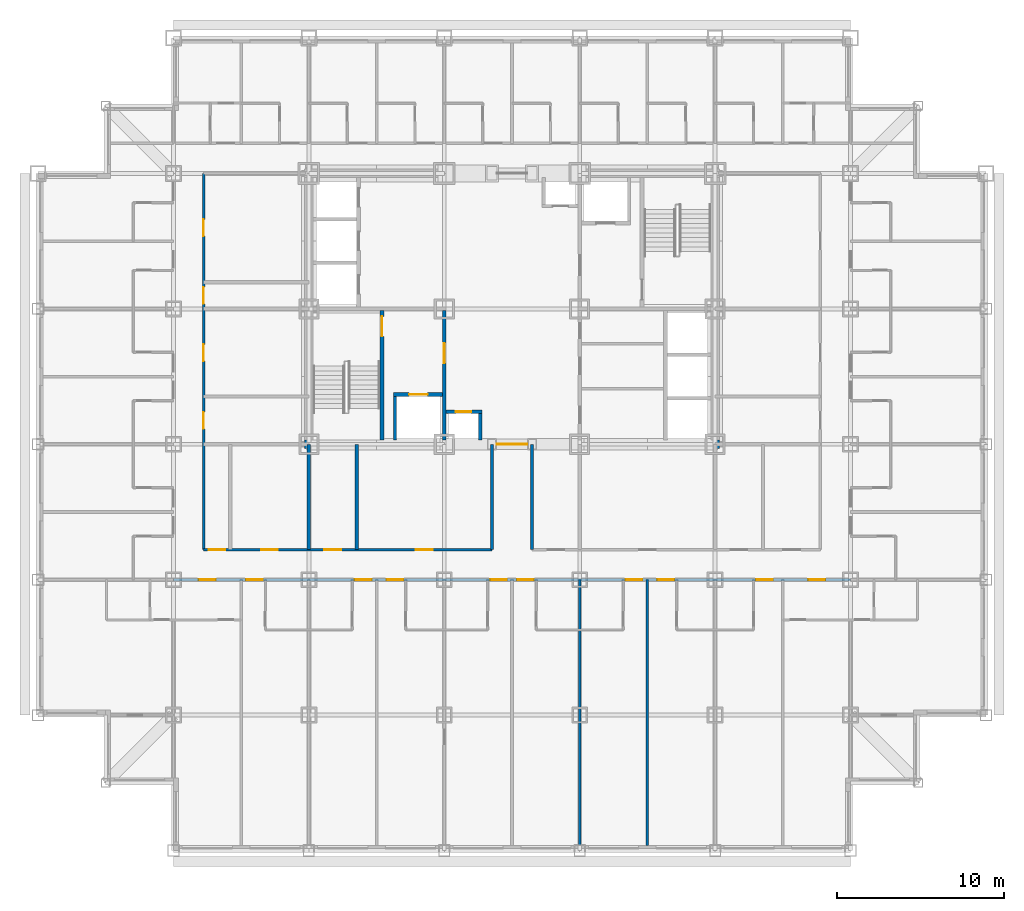
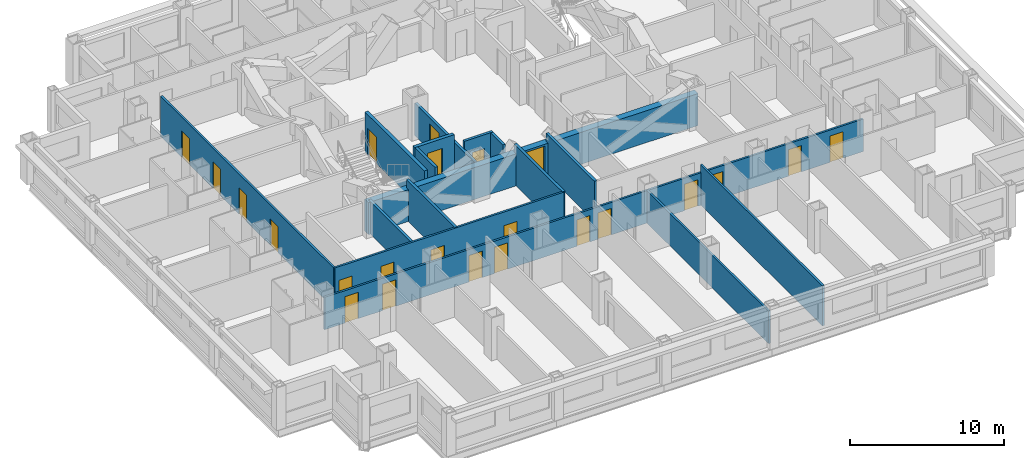
# One storey, part 5 of 12: 23 doors, 16 walls, 23 openings.
"""IFC4 building model written with IfcOpenShell, lengths in metres."""

from ifc_helpers import new_model, si_unit, direction, frame, frame_2d, origin, place, context, subcontext, project, spatial, rectangle, extrude, material, layer, layer_set, type_object, element, fill, save


model = new_model("IFC4")

# Units and contexts
model_context = context("Model", 3, precision=1e-05, world=origin(), true_north=direction((0.0, 1.0)))
body_context = subcontext(model_context, "Body", "Model", "MODEL_VIEW")
ifc_project = project(units=[si_unit("LENGTHUNIT", "METRE"), si_unit("AREAUNIT", "SQUARE_METRE"), si_unit("VOLUMEUNIT", "CUBIC_METRE"), si_unit("PLANEANGLEUNIT", "RADIAN"), si_unit("MASSUNIT", "GRAM", prefix="KILO")], contexts=[model_context])

# Site, building, storey
site_placement = place(None, origin())
site = spatial("IfcSite", under=ifc_project, at=site_placement, CompositionType="ELEMENT")
building_placement = place(site_placement, origin())
building = spatial("IfcBuilding", under=site, at=building_placement, Name="Kopane Lantern Tower", CompositionType="ELEMENT")
storey_placement = place(building_placement, frame((0.0, 0.0, 43.199951171875)))
storey = spatial("IfcBuildingStorey", under=building, at=storey_placement, Name="L09", CompositionType="ELEMENT", Elevation=43.199951171875)

# Wall, opening, door
ifc_material_1 = material(Name="Gypsum shaft wall EI 120", Category="gypsum")
ifc_layer_1 = layer(ifc_material_1, 0.5)
ifc_layer_set_1 = layer_set([ifc_layer_1], Name="CORE PERIMETER WALL 500 EI 120")
wall_type_1 = type_object("IfcWallType", Name="CORE PERIMETER WALL 500 EI 120", PredefinedType="SOLIDWALL", material=ifc_layer_set_1)
wall_1_placement = place(storey_placement, frame((15.949951171875, 24.300048828125, 0.0), z_axis=(0.0, 0.0, 1.0), x_axis=(1.0, 0.0, 0.0)))
wall_1 = element("IfcWall", 1, at=wall_1_placement, inside=storey, type_object=wall_type_1, Name="Core shaft wall L09 PS", PredefinedType="SOLIDWALL", context=body_context, shape_type="SweptSolid", body=[
    extrude(rectangle(XDim=24.800048828125, YDim=0.5, at=frame_2d((12.39990234375, 0.0))), origin(), (0.0, 0.0, 1.0), 2.5400390625),
])
opening_1_placement = place(wall_1_placement, frame((11.5, 0.0, 0.0)))
opening_1 = element("IfcOpeningElement", 2, at=opening_1_placement, cuts=wall_1, Name="Opening 09.CE-S", PredefinedType="OPENING", context=body_context, shape_type="SweptSolid", body=[
    extrude(rectangle(XDim=1.800048828125, YDim=2.39990234375, at=frame_2d((0.89990234375, 1.199951171875))), frame((0.0, 0.260009765625, 0.0), z_axis=(0.0, -1.0, 0.0), x_axis=(1.0, 0.0, 0.0)), (0.0, 0.0, 1.0), 0.52001953125),
])
ifc_material_2 = material(Name="Steel door set", Category="steel")
door_type_1 = type_object("IfcDoorType", Name="CORE ENTRY DOOR 1800x2400 FD60S", OperationType="DOUBLE_DOOR_SINGLE_SWING", PredefinedType="DOOR", material=ifc_material_2)
door_1_placement = place(opening_1_placement, origin())
door_1 = element("IfcDoor", 3, at=door_1_placement, inside=storey, type_object=door_type_1, Name="Core entry door L09 south", OperationType="DOUBLE_DOOR_SINGLE_SWING", OverallHeight=2.39990234375, OverallWidth=1.800048828125, PredefinedType="DOOR", context=body_context, shape_type="SweptSolid", body=[
    extrude(rectangle(XDim=1.800048828125, YDim=2.39990234375, at=frame_2d((0.89990234375, 1.199951171875))), frame((0.0, 0.02490234375, 0.0), z_axis=(0.0, -1.0, 0.0), x_axis=(1.0, 0.0, 0.0)), (0.0, 0.0, 1.0), 0.050048828125),
])
fill(opening_1, door_1)

ifc_material_3 = material(Name="Gypsum shaft wall EI 120", Category="gypsum")
ifc_layer_2 = layer(ifc_material_3, 0.25)
ifc_layer_set_2 = layer_set([ifc_layer_2], Name="CORE SHAFT WALL 250 EI 120")
wall_type_2 = type_object("IfcWallType", Name="CORE SHAFT WALL 250 EI 120", PredefinedType="SOLIDWALL", material=ifc_layer_set_2)
wall_2_placement = place(storey_placement, frame((20.574951171875, 24.550048828125, 0.0), z_axis=(0.0, 0.0, 1.0), x_axis=(0.0, 1.0, 0.0)))
wall_2 = element("IfcWall", 4, at=wall_2_placement, inside=storey, type_object=wall_type_2, Name="Core shaft wall L09 XST1", PredefinedType="SOLIDWALL", context=body_context, shape_type="SweptSolid", body=[
    extrude(rectangle(XDim=7.75, YDim=0.25, at=frame_2d((3.875, 0.0))), origin(), (0.0, 0.0, 1.0), 3.18994140625),
])
opening_2_placement = place(wall_2_placement, frame((6.199951171875, 0.0, 0.0)))
opening_2 = element("IfcOpeningElement", 5, at=opening_2_placement, cuts=wall_2, Name="Opening 09.SD1", PredefinedType="OPENING", context=body_context, shape_type="SweptSolid", body=[
    extrude(rectangle(XDim=1.199951171875, YDim=2.10009765625, at=frame_2d((0.60009765625, 1.050048828125))), frame((0.0, 0.135009765625, 0.0), z_axis=(0.0, -1.0, 0.0), x_axis=(1.0, 0.0, 0.0)), (0.0, 0.0, 1.0), 0.27001953125),
])
ifc_material_4 = material(Name="Steel door set", Category="steel")
door_type_2 = type_object("IfcDoorType", Name="STAIR DOOR 1200x2100 FD60S", OperationType="SINGLE_SWING_LEFT", PredefinedType="DOOR", material=ifc_material_4)
door_2_placement = place(opening_2_placement, origin())
door_2 = element("IfcDoor", 6, at=door_2_placement, inside=storey, type_object=door_type_2, Name="Stair door ST1 L09", OperationType="SINGLE_SWING_LEFT", OverallHeight=2.10009765625, OverallWidth=1.199951171875, PredefinedType="DOOR", context=body_context, shape_type="SweptSolid", body=[
    extrude(rectangle(XDim=1.199951171875, YDim=2.10009765625, at=frame_2d((0.60009765625, 1.050048828125))), frame((0.0, 0.02490234375, 0.0), z_axis=(0.0, -1.0, 0.0), x_axis=(1.0, 0.0, 0.0)), (0.0, 0.0, 1.0), 0.050048828125),
])
fill(opening_2, door_2)

wall_3_placement = place(storey_placement, frame((21.25, 27.27490234375, 0.0), z_axis=(0.0, 0.0, 1.0), x_axis=(1.0, 0.0, 0.0)))
wall_3 = element("IfcWall", 7, at=wall_3_placement, inside=storey, type_object=wall_type_2, Name="Core shaft wall L09 YLF1", PredefinedType="SOLIDWALL", context=body_context, shape_type="SweptSolid", body=[
    extrude(rectangle(XDim=2.949951171875, YDim=0.25, at=frame_2d((1.47509765625, 0.0))), origin(), (0.0, 0.0, 1.0), 3.18994140625),
])
opening_3_placement = place(wall_3_placement, frame((0.949951171875, 0.0, 0.0)))
opening_3 = element("IfcOpeningElement", 8, at=opening_3_placement, cuts=wall_3, Name="Opening 09.LD-LF1", PredefinedType="OPENING", context=body_context, shape_type="SweptSolid", body=[
    extrude(rectangle(XDim=1.10009765625, YDim=2.39990234375, at=frame_2d((0.550048828125, 1.199951171875))), frame((0.0, 0.135009765625, 0.0), z_axis=(0.0, -1.0, 0.0), x_axis=(1.0, 0.0, 0.0)), (0.0, 0.0, 1.0), 0.27001953125),
])
ifc_material_5 = material(Name="Steel door set", Category="steel")
door_type_3 = type_object("IfcDoorType", Name="LIFT LANDING DOOR 1100x2400 FD60", OperationType="DOUBLE_DOOR_SLIDING", PredefinedType="DOOR", material=ifc_material_5)
door_3_placement = place(opening_3_placement, origin())
door_3 = element("IfcDoor", 9, at=door_3_placement, inside=storey, type_object=door_type_3, Name="Landing door LF1 L09", OperationType="DOUBLE_DOOR_SLIDING", OverallHeight=2.39990234375, OverallWidth=1.10009765625, PredefinedType="DOOR", context=body_context, shape_type="SweptSolid", body=[
    extrude(rectangle(XDim=1.10009765625, YDim=2.39990234375, at=frame_2d((0.550048828125, 1.199951171875))), frame((0.0, 0.02490234375, 0.0), z_axis=(0.0, -1.0, 0.0), x_axis=(1.0, 0.0, 0.0)), (0.0, 0.0, 1.0), 0.050048828125),
])
fill(opening_3, door_3)

# Wall, openings, doors
ifc_material_6 = material(Name="Gypsum board on steel studs", Category="steel")
ifc_layer_3 = layer(ifc_material_6, 0.14990234375)
ifc_layer_set_3 = layer_set([ifc_layer_3], Name="CORRIDOR WALL 150 EI 60")
wall_type_3 = type_object("IfcWallType", Name="CORRIDOR WALL 150 EI 60", PredefinedType="PARTITIONING", material=ifc_layer_set_3)
wall_4_placement = place(storey_placement, frame((8.10009765625, 16.199951171875, 0.0), z_axis=(0.0, 0.0, 1.0), x_axis=(1.0, 0.0, 0.0)))
wall_4 = element("IfcWall", 10, at=wall_4_placement, inside=storey, type_object=wall_type_3, Name="Corridor Wall 150 Ei 60 L09", PredefinedType="PARTITIONING", context=body_context, shape_type="SweptSolid", body=[
    extrude(rectangle(XDim=40.5, YDim=0.14990234375, at=frame_2d((20.25, 0.0))), origin(), (0.0, 0.0, 1.0), 2.577880859375),
])
opening_4_placement = place(wall_4_placement, frame((4.35009765625, 0.0, 0.0)))
opening_4 = element("IfcOpeningElement", 11, at=opening_4_placement, cuts=wall_4, Name="Opening L09-017", PredefinedType="OPENING", context=body_context, shape_type="SweptSolid", body=[
    extrude(rectangle(XDim=1.0, YDim=2.10009765625, at=frame_2d((0.5, 1.050048828125))), frame((0.0, 0.0849609375, 0.0), z_axis=(0.0, -1.0, 0.0), x_axis=(1.0, 0.0, 0.0)), (0.0, 0.0, 1.0), 0.169921875),
])
opening_5_placement = place(wall_4_placement, frame((10.85009765625, 0.0, 0.0)))
opening_5 = element("IfcOpeningElement", 12, at=opening_5_placement, cuts=wall_4, Name="Opening L09-019", PredefinedType="OPENING", context=body_context, shape_type="SweptSolid", body=[
    extrude(rectangle(XDim=1.0, YDim=2.10009765625, at=frame_2d((0.5, 1.050048828125))), frame((0.0, 0.0849609375, 0.0), z_axis=(0.0, -1.0, 0.0), x_axis=(1.0, 0.0, 0.0)), (0.0, 0.0, 1.0), 0.169921875),
])
opening_6_placement = place(wall_4_placement, frame((12.75, 0.0, 0.0)))
opening_6 = element("IfcOpeningElement", 13, at=opening_6_placement, cuts=wall_4, Name="Opening L09-021", PredefinedType="OPENING", context=body_context, shape_type="SweptSolid", body=[
    extrude(rectangle(XDim=1.0, YDim=2.10009765625, at=frame_2d((0.5, 1.050048828125))), frame((0.0, 0.0849609375, 0.0), z_axis=(0.0, -1.0, 0.0), x_axis=(1.0, 0.0, 0.0)), (0.0, 0.0, 1.0), 0.169921875),
])
opening_7_placement = place(wall_4_placement, frame((18.949951171875, 0.0, 0.0)))
opening_7 = element("IfcOpeningElement", 14, at=opening_7_placement, cuts=wall_4, Name="Opening L09-023", PredefinedType="OPENING", context=body_context, shape_type="SweptSolid", body=[
    extrude(rectangle(XDim=1.0, YDim=2.10009765625, at=frame_2d((0.5, 1.050048828125))), frame((0.0, 0.0849609375, 0.0), z_axis=(0.0, -1.0, 0.0), x_axis=(1.0, 0.0, 0.0)), (0.0, 0.0, 1.0), 0.169921875),
])
opening_8_placement = place(wall_4_placement, frame((20.550048828125, 0.0, 0.0)))
opening_8 = element("IfcOpeningElement", 15, at=opening_8_placement, cuts=wall_4, Name="Opening L09-026", PredefinedType="OPENING", context=body_context, shape_type="SweptSolid", body=[
    extrude(rectangle(XDim=1.0, YDim=2.10009765625, at=frame_2d((0.5, 1.050048828125))), frame((0.0, 0.0849609375, 0.0), z_axis=(0.0, -1.0, 0.0), x_axis=(1.0, 0.0, 0.0)), (0.0, 0.0, 1.0), 0.169921875),
])
opening_9_placement = place(wall_4_placement, frame((27.050048828125, 0.0, 0.0)))
opening_9 = element("IfcOpeningElement", 16, at=opening_9_placement, cuts=wall_4, Name="Opening L09-028", PredefinedType="OPENING", context=body_context, shape_type="SweptSolid", body=[
    extrude(rectangle(XDim=1.0, YDim=2.10009765625, at=frame_2d((0.5, 1.050048828125))), frame((0.0, 0.0849609375, 0.0), z_axis=(0.0, -1.0, 0.0), x_axis=(1.0, 0.0, 0.0)), (0.0, 0.0, 1.0), 0.169921875),
])
opening_10_placement = place(wall_4_placement, frame((28.949951171875, 0.0, 0.0)))
opening_10 = element("IfcOpeningElement", 17, at=opening_10_placement, cuts=wall_4, Name="Opening L09-030", PredefinedType="OPENING", context=body_context, shape_type="SweptSolid", body=[
    extrude(rectangle(XDim=1.0, YDim=2.10009765625, at=frame_2d((0.5, 1.050048828125))), frame((0.0, 0.0849609375, 0.0), z_axis=(0.0, -1.0, 0.0), x_axis=(1.0, 0.0, 0.0)), (0.0, 0.0, 1.0), 0.169921875),
])
opening_11_placement = place(wall_4_placement, frame((34.85009765625, 0.0, 0.0)))
opening_11 = element("IfcOpeningElement", 18, at=opening_11_placement, cuts=wall_4, Name="Opening L09-032", PredefinedType="OPENING", context=body_context, shape_type="SweptSolid", body=[
    extrude(rectangle(XDim=1.0, YDim=2.10009765625, at=frame_2d((0.5, 1.050048828125))), frame((0.0, 0.0849609375, 0.0), z_axis=(0.0, -1.0, 0.0), x_axis=(1.0, 0.0, 0.0)), (0.0, 0.0, 1.0), 0.169921875),
])
opening_12_placement = place(wall_4_placement, frame((1.52490234375, 0.0, 0.0)))
opening_12 = element("IfcOpeningElement", 19, at=opening_12_placement, cuts=wall_4, Name="Opening L09-073", PredefinedType="OPENING", context=body_context, shape_type="SweptSolid", body=[
    extrude(rectangle(XDim=1.0, YDim=2.10009765625, at=frame_2d((0.5, 1.050048828125))), frame((0.0, 0.0849609375, 0.0), z_axis=(0.0, -1.0, 0.0), x_axis=(1.0, 0.0, 0.0)), (0.0, 0.0, 1.0), 0.169921875),
])
opening_13_placement = place(wall_4_placement, frame((37.97509765625, 0.0, 0.0)))
opening_13 = element("IfcOpeningElement", 20, at=opening_13_placement, cuts=wall_4, Name="Opening L09-078", PredefinedType="OPENING", context=body_context, shape_type="SweptSolid", body=[
    extrude(rectangle(XDim=1.0, YDim=2.10009765625, at=frame_2d((0.5, 1.050048828125))), frame((0.0, 0.0849609375, 0.0), z_axis=(0.0, -1.0, 0.0), x_axis=(1.0, 0.0, 0.0)), (0.0, 0.0, 1.0), 0.169921875),
])
ifc_material_7 = material(Name="Steel door set", Category="steel")
door_type_4 = type_object("IfcDoorType", Name="DOOR D1 1000x2100 FD30S", OperationType="SINGLE_SWING_LEFT", PredefinedType="DOOR", material=ifc_material_7)
door_4_placement = place(opening_4_placement, origin())
door_4 = element("IfcDoor", 21, at=door_4_placement, inside=storey, type_object=door_type_4, Name="Door L09-017", OperationType="SINGLE_SWING_LEFT", OverallHeight=2.10009765625, OverallWidth=1.0, PredefinedType="DOOR", context=body_context, shape_type="SweptSolid", body=[
    extrude(rectangle(XDim=1.0, YDim=2.10009765625, at=frame_2d((0.5, 1.050048828125))), frame((0.0, 0.02490234375, 0.0), z_axis=(0.0, -1.0, 0.0), x_axis=(1.0, 0.0, 0.0)), (0.0, 0.0, 1.0), 0.050048828125),
])
fill(opening_4, door_4)
door_5_placement = place(opening_5_placement, origin())
door_5 = element("IfcDoor", 22, at=door_5_placement, inside=storey, type_object=door_type_4, Name="Door L09-019", OperationType="SINGLE_SWING_RIGHT", OverallHeight=2.10009765625, OverallWidth=1.0, PredefinedType="DOOR", context=body_context, shape_type="SweptSolid", body=[
    extrude(rectangle(XDim=1.0, YDim=2.10009765625, at=frame_2d((0.5, 1.050048828125))), frame((0.0, 0.02490234375, 0.0), z_axis=(0.0, -1.0, 0.0), x_axis=(1.0, 0.0, 0.0)), (0.0, 0.0, 1.0), 0.050048828125),
])
fill(opening_5, door_5)
door_6_placement = place(opening_6_placement, origin())
door_6 = element("IfcDoor", 23, at=door_6_placement, inside=storey, type_object=door_type_4, Name="Door L09-021", OperationType="SINGLE_SWING_LEFT", OverallHeight=2.10009765625, OverallWidth=1.0, PredefinedType="DOOR", context=body_context, shape_type="SweptSolid", body=[
    extrude(rectangle(XDim=1.0, YDim=2.10009765625, at=frame_2d((0.5, 1.050048828125))), frame((0.0, 0.02490234375, 0.0), z_axis=(0.0, -1.0, 0.0), x_axis=(1.0, 0.0, 0.0)), (0.0, 0.0, 1.0), 0.050048828125),
])
fill(opening_6, door_6)
door_7_placement = place(opening_7_placement, origin())
door_7 = element("IfcDoor", 24, at=door_7_placement, inside=storey, type_object=door_type_4, Name="Door L09-023", OperationType="SINGLE_SWING_RIGHT", OverallHeight=2.10009765625, OverallWidth=1.0, PredefinedType="DOOR", context=body_context, shape_type="SweptSolid", body=[
    extrude(rectangle(XDim=1.0, YDim=2.10009765625, at=frame_2d((0.5, 1.050048828125))), frame((0.0, 0.02490234375, 0.0), z_axis=(0.0, -1.0, 0.0), x_axis=(1.0, 0.0, 0.0)), (0.0, 0.0, 1.0), 0.050048828125),
])
fill(opening_7, door_7)
door_8_placement = place(opening_8_placement, origin())
door_8 = element("IfcDoor", 25, at=door_8_placement, inside=storey, type_object=door_type_4, Name="Door L09-026", OperationType="SINGLE_SWING_LEFT", OverallHeight=2.10009765625, OverallWidth=1.0, PredefinedType="DOOR", context=body_context, shape_type="SweptSolid", body=[
    extrude(rectangle(XDim=1.0, YDim=2.10009765625, at=frame_2d((0.5, 1.050048828125))), frame((0.0, 0.02490234375, 0.0), z_axis=(0.0, -1.0, 0.0), x_axis=(1.0, 0.0, 0.0)), (0.0, 0.0, 1.0), 0.050048828125),
])
fill(opening_8, door_8)
door_9_placement = place(opening_9_placement, origin())
door_9 = element("IfcDoor", 26, at=door_9_placement, inside=storey, type_object=door_type_4, Name="Door L09-028", OperationType="SINGLE_SWING_RIGHT", OverallHeight=2.10009765625, OverallWidth=1.0, PredefinedType="DOOR", context=body_context, shape_type="SweptSolid", body=[
    extrude(rectangle(XDim=1.0, YDim=2.10009765625, at=frame_2d((0.5, 1.050048828125))), frame((0.0, 0.02490234375, 0.0), z_axis=(0.0, -1.0, 0.0), x_axis=(1.0, 0.0, 0.0)), (0.0, 0.0, 1.0), 0.050048828125),
])
fill(opening_9, door_9)
door_10_placement = place(opening_10_placement, origin())
door_10 = element("IfcDoor", 27, at=door_10_placement, inside=storey, type_object=door_type_4, Name="Door L09-030", OperationType="SINGLE_SWING_LEFT", OverallHeight=2.10009765625, OverallWidth=1.0, PredefinedType="DOOR", context=body_context, shape_type="SweptSolid", body=[
    extrude(rectangle(XDim=1.0, YDim=2.10009765625, at=frame_2d((0.5, 1.050048828125))), frame((0.0, 0.02490234375, 0.0), z_axis=(0.0, -1.0, 0.0), x_axis=(1.0, 0.0, 0.0)), (0.0, 0.0, 1.0), 0.050048828125),
])
fill(opening_10, door_10)
door_11_placement = place(opening_11_placement, origin())
door_11 = element("IfcDoor", 28, at=door_11_placement, inside=storey, type_object=door_type_4, Name="Door L09-032", OperationType="SINGLE_SWING_RIGHT", OverallHeight=2.10009765625, OverallWidth=1.0, PredefinedType="DOOR", context=body_context, shape_type="SweptSolid", body=[
    extrude(rectangle(XDim=1.0, YDim=2.10009765625, at=frame_2d((0.5, 1.050048828125))), frame((0.0, 0.02490234375, 0.0), z_axis=(0.0, -1.0, 0.0), x_axis=(1.0, 0.0, 0.0)), (0.0, 0.0, 1.0), 0.050048828125),
])
fill(opening_11, door_11)
door_12_placement = place(opening_12_placement, origin())
door_12 = element("IfcDoor", 29, at=door_12_placement, inside=storey, type_object=door_type_4, Name="Door L09-073", OperationType="SINGLE_SWING_LEFT", OverallHeight=2.10009765625, OverallWidth=1.0, PredefinedType="DOOR", context=body_context, shape_type="SweptSolid", body=[
    extrude(rectangle(XDim=1.0, YDim=2.10009765625, at=frame_2d((0.5, 1.050048828125))), frame((0.0, 0.02490234375, 0.0), z_axis=(0.0, -1.0, 0.0), x_axis=(1.0, 0.0, 0.0)), (0.0, 0.0, 1.0), 0.050048828125),
])
fill(opening_12, door_12)
door_13_placement = place(opening_13_placement, origin())
door_13 = element("IfcDoor", 30, at=door_13_placement, inside=storey, type_object=door_type_4, Name="Door L09-078", OperationType="SINGLE_SWING_RIGHT", OverallHeight=2.10009765625, OverallWidth=1.0, PredefinedType="DOOR", context=body_context, shape_type="SweptSolid", body=[
    extrude(rectangle(XDim=1.0, YDim=2.10009765625, at=frame_2d((0.5, 1.050048828125))), frame((0.0, 0.02490234375, 0.0), z_axis=(0.0, -1.0, 0.0), x_axis=(1.0, 0.0, 0.0)), (0.0, 0.0, 1.0), 0.050048828125),
])
fill(opening_13, door_13)

wall_5_placement = place(storey_placement, frame((9.89990234375, 40.5, 0.0), z_axis=(0.0, 0.0, 1.0), x_axis=(0.0, -1.0, 0.0)))
wall_5 = element("IfcWall", 31, at=wall_5_placement, inside=storey, type_object=wall_type_3, Name="Corridor Wall 150 Ei 60 L09", PredefinedType="PARTITIONING", context=body_context, shape_type="SweptSolid", body=[
    extrude(rectangle(XDim=22.5, YDim=0.14990234375, at=frame_2d((11.25, 0.0))), origin(), (0.0, 0.0, 1.0), 3.18994140625),
])
opening_14_placement = place(wall_5_placement, frame((14.271484375, 0.0, 0.0)))
opening_14 = element("IfcOpeningElement", 32, at=opening_14_placement, cuts=wall_5, Name="Opening L09-001", PredefinedType="OPENING", context=body_context, shape_type="SweptSolid", body=[
    extrude(rectangle(XDim=1.0, YDim=2.10009765625, at=frame_2d((0.5, 1.050048828125))), frame((0.0, 0.0849609375, 0.0), z_axis=(0.0, -1.0, 0.0), x_axis=(1.0, 0.0, 0.0)), (0.0, 0.0, 1.0), 0.169921875),
])
opening_15_placement = place(wall_5_placement, frame((10.221435546875, 0.0, 0.0)))
opening_15 = element("IfcOpeningElement", 33, at=opening_15_placement, cuts=wall_5, Name="Opening L09-002", PredefinedType="OPENING", context=body_context, shape_type="SweptSolid", body=[
    extrude(rectangle(XDim=1.0, YDim=2.10009765625, at=frame_2d((0.5, 1.050048828125))), frame((0.0, 0.0849609375, 0.0), z_axis=(0.0, -1.0, 0.0), x_axis=(1.0, 0.0, 0.0)), (0.0, 0.0, 1.0), 0.169921875),
])
opening_16_placement = place(wall_5_placement, frame((6.800048828125, 0.0, 0.0)))
opening_16 = element("IfcOpeningElement", 34, at=opening_16_placement, cuts=wall_5, Name="Opening L09-003", PredefinedType="OPENING", context=body_context, shape_type="SweptSolid", body=[
    extrude(rectangle(XDim=1.0, YDim=2.10009765625, at=frame_2d((0.5, 1.050048828125))), frame((0.0, 0.0849609375, 0.0), z_axis=(0.0, -1.0, 0.0), x_axis=(1.0, 0.0, 0.0)), (0.0, 0.0, 1.0), 0.169921875),
])
opening_17_placement = place(wall_5_placement, frame((2.75, 0.0, 0.0)))
opening_17 = element("IfcOpeningElement", 35, at=opening_17_placement, cuts=wall_5, Name="Opening L09-004", PredefinedType="OPENING", context=body_context, shape_type="SweptSolid", body=[
    extrude(rectangle(XDim=1.0, YDim=2.10009765625, at=frame_2d((0.5, 1.050048828125))), frame((0.0, 0.0849609375, 0.0), z_axis=(0.0, -1.0, 0.0), x_axis=(1.0, 0.0, 0.0)), (0.0, 0.0, 1.0), 0.169921875),
])
ifc_material_8 = material(Name="Steel door set", Category="steel")
door_type_5 = type_object("IfcDoorType", Name="DOOR D5 1000x2100 FD60", OperationType="SINGLE_SWING_LEFT", PredefinedType="DOOR", material=ifc_material_8)
door_14_placement = place(opening_14_placement, origin())
door_14 = element("IfcDoor", 36, at=door_14_placement, inside=storey, type_object=door_type_5, Name="Door L09-001", OperationType="SINGLE_SWING_RIGHT", OverallHeight=2.10009765625, OverallWidth=1.0, PredefinedType="DOOR", context=body_context, shape_type="SweptSolid", body=[
    extrude(rectangle(XDim=1.0, YDim=2.10009765625, at=frame_2d((0.5, 1.050048828125))), frame((0.0, 0.02490234375, 0.0), z_axis=(0.0, -1.0, 0.0), x_axis=(1.0, 0.0, 0.0)), (0.0, 0.0, 1.0), 0.050048828125),
])
fill(opening_14, door_14)
door_15_placement = place(opening_15_placement, origin())
door_15 = element("IfcDoor", 37, at=door_15_placement, inside=storey, type_object=door_type_5, Name="Door L09-002", OperationType="SINGLE_SWING_LEFT", OverallHeight=2.10009765625, OverallWidth=1.0, PredefinedType="DOOR", context=body_context, shape_type="SweptSolid", body=[
    extrude(rectangle(XDim=1.0, YDim=2.10009765625, at=frame_2d((0.5, 1.050048828125))), frame((0.0, 0.02490234375, 0.0), z_axis=(0.0, -1.0, 0.0), x_axis=(1.0, 0.0, 0.0)), (0.0, 0.0, 1.0), 0.050048828125),
])
fill(opening_15, door_15)
door_16_placement = place(opening_16_placement, origin())
door_16 = element("IfcDoor", 38, at=door_16_placement, inside=storey, type_object=door_type_5, Name="Door L09-003", OperationType="SINGLE_SWING_RIGHT", OverallHeight=2.10009765625, OverallWidth=1.0, PredefinedType="DOOR", context=body_context, shape_type="SweptSolid", body=[
    extrude(rectangle(XDim=1.0, YDim=2.10009765625, at=frame_2d((0.5, 1.050048828125))), frame((0.0, 0.02490234375, 0.0), z_axis=(0.0, -1.0, 0.0), x_axis=(1.0, 0.0, 0.0)), (0.0, 0.0, 1.0), 0.050048828125),
])
fill(opening_16, door_16)
door_17_placement = place(opening_17_placement, origin())
door_17 = element("IfcDoor", 39, at=door_17_placement, inside=storey, type_object=door_type_5, Name="Door L09-004", OperationType="SINGLE_SWING_LEFT", OverallHeight=2.10009765625, OverallWidth=1.0, PredefinedType="DOOR", context=body_context, shape_type="SweptSolid", body=[
    extrude(rectangle(XDim=1.0, YDim=2.10009765625, at=frame_2d((0.5, 1.050048828125))), frame((0.0, 0.02490234375, 0.0), z_axis=(0.0, -1.0, 0.0), x_axis=(1.0, 0.0, 0.0)), (0.0, 0.0, 1.0), 0.050048828125),
])
fill(opening_17, door_17)

wall_6_placement = place(storey_placement, frame((9.89990234375, 18.0, 0.0), z_axis=(0.0, 0.0, 1.0), x_axis=(1.0, 0.0, 0.0)))
wall_6 = element("IfcWall", 40, at=wall_6_placement, inside=storey, type_object=wall_type_3, Name="Corridor Wall 150 Ei 60 L09", PredefinedType="PARTITIONING", context=body_context, shape_type="SweptSolid", body=[
    extrude(rectangle(XDim=17.239990234375, YDim=0.14990234375, at=frame_2d((8.6201171875, 0.0))), origin(), (0.0, 0.0, 1.0), 3.18994140625),
])
opening_18_placement = place(wall_6_placement, frame((0.300048828125, 0.0, 0.0)))
opening_18 = element("IfcOpeningElement", 41, at=opening_18_placement, cuts=wall_6, Name="Opening L09-008", PredefinedType="OPENING", context=body_context, shape_type="SweptSolid", body=[
    extrude(rectangle(XDim=1.0, YDim=2.10009765625, at=frame_2d((0.5, 1.050048828125))), frame((0.0, 0.0849609375, 0.0), z_axis=(0.0, -1.0, 0.0), x_axis=(1.0, 0.0, 0.0)), (0.0, 0.0, 1.0), 0.169921875),
])
opening_19_placement = place(wall_6_placement, frame((3.449951171875, 0.0, 0.0)))
opening_19 = element("IfcOpeningElement", 42, at=opening_19_placement, cuts=wall_6, Name="Opening L09-009", PredefinedType="OPENING", context=body_context, shape_type="SweptSolid", body=[
    extrude(rectangle(XDim=1.0, YDim=2.10009765625, at=frame_2d((0.5, 1.050048828125))), frame((0.0, 0.0849609375, 0.0), z_axis=(0.0, -1.0, 0.0), x_axis=(1.0, 0.0, 0.0)), (0.0, 0.0, 1.0), 0.169921875),
])
opening_20_placement = place(wall_6_placement, frame((7.228515625, 0.0, 0.0)))
opening_20 = element("IfcOpeningElement", 43, at=opening_20_placement, cuts=wall_6, Name="Opening L09-010", PredefinedType="OPENING", context=body_context, shape_type="SweptSolid", body=[
    extrude(rectangle(XDim=1.0, YDim=2.10009765625, at=frame_2d((0.5, 1.050048828125))), frame((0.0, 0.0849609375, 0.0), z_axis=(0.0, -1.0, 0.0), x_axis=(1.0, 0.0, 0.0)), (0.0, 0.0, 1.0), 0.169921875),
])
opening_21_placement = place(wall_6_placement, frame((12.70361328125, 0.0, 0.0)))
opening_21 = element("IfcOpeningElement", 44, at=opening_21_placement, cuts=wall_6, Name="Opening L09-011", PredefinedType="OPENING", context=body_context, shape_type="SweptSolid", body=[
    extrude(rectangle(XDim=1.0, YDim=2.10009765625, at=frame_2d((0.5, 1.050048828125))), frame((0.0, 0.0849609375, 0.0), z_axis=(0.0, -1.0, 0.0), x_axis=(1.0, 0.0, 0.0)), (0.0, 0.0, 1.0), 0.169921875),
])
door_18_placement = place(opening_18_placement, origin())
door_18 = element("IfcDoor", 45, at=door_18_placement, inside=storey, type_object=door_type_5, Name="Door L09-008", OperationType="SINGLE_SWING_LEFT", OverallHeight=2.10009765625, OverallWidth=1.0, PredefinedType="DOOR", context=body_context, shape_type="SweptSolid", body=[
    extrude(rectangle(XDim=1.0, YDim=2.10009765625, at=frame_2d((0.5, 1.050048828125))), frame((0.0, 0.02490234375, 0.0), z_axis=(0.0, -1.0, 0.0), x_axis=(1.0, 0.0, 0.0)), (0.0, 0.0, 1.0), 0.050048828125),
])
fill(opening_18, door_18)
door_19_placement = place(opening_19_placement, origin())
door_19 = element("IfcDoor", 46, at=door_19_placement, inside=storey, type_object=door_type_5, Name="Door L09-009", OperationType="SINGLE_SWING_RIGHT", OverallHeight=2.10009765625, OverallWidth=1.0, PredefinedType="DOOR", context=body_context, shape_type="SweptSolid", body=[
    extrude(rectangle(XDim=1.0, YDim=2.10009765625, at=frame_2d((0.5, 1.050048828125))), frame((0.0, 0.02490234375, 0.0), z_axis=(0.0, -1.0, 0.0), x_axis=(1.0, 0.0, 0.0)), (0.0, 0.0, 1.0), 0.050048828125),
])
fill(opening_19, door_19)
door_20_placement = place(opening_20_placement, origin())
door_20 = element("IfcDoor", 47, at=door_20_placement, inside=storey, type_object=door_type_5, Name="Door L09-010", OperationType="SINGLE_SWING_LEFT", OverallHeight=2.10009765625, OverallWidth=1.0, PredefinedType="DOOR", context=body_context, shape_type="SweptSolid", body=[
    extrude(rectangle(XDim=1.0, YDim=2.10009765625, at=frame_2d((0.5, 1.050048828125))), frame((0.0, 0.02490234375, 0.0), z_axis=(0.0, -1.0, 0.0), x_axis=(1.0, 0.0, 0.0)), (0.0, 0.0, 1.0), 0.050048828125),
])
fill(opening_20, door_20)
door_21_placement = place(opening_21_placement, origin())
door_21 = element("IfcDoor", 48, at=door_21_placement, inside=storey, type_object=door_type_5, Name="Door L09-011", OperationType="SINGLE_SWING_RIGHT", OverallHeight=2.10009765625, OverallWidth=1.0, PredefinedType="DOOR", context=body_context, shape_type="SweptSolid", body=[
    extrude(rectangle(XDim=1.0, YDim=2.10009765625, at=frame_2d((0.5, 1.050048828125))), frame((0.0, 0.02490234375, 0.0), z_axis=(0.0, -1.0, 0.0), x_axis=(1.0, 0.0, 0.0)), (0.0, 0.0, 1.0), 0.050048828125),
])
fill(opening_21, door_21)

# Walls
ifc_material_9 = material(Name="Gypsum board on steel studs", Category="steel")
ifc_layer_4 = layer(ifc_material_9, 0.14990234375)
ifc_layer_set_4 = layer_set([ifc_layer_4], Name="DEMISING WALL 150 EI 60")
wall_type_4 = type_object("IfcWallType", Name="DEMISING WALL 150 EI 60", PredefinedType="PARTITIONING", material=ifc_layer_set_4)
wall_7_placement = place(storey_placement, frame((32.39990234375, 16.199951171875, 0.0), z_axis=(0.0, 0.0, 1.0), x_axis=(0.0, -1.0, 0.0)))
element("IfcWall", 49, at=wall_7_placement, inside=storey, type_object=wall_type_4, Name="Demising Wall 150 Ei 60 L09", PredefinedType="PARTITIONING", context=body_context, shape_type="SweptSolid", body=[
    extrude(rectangle(XDim=15.89990234375, YDim=0.14990234375, at=frame_2d((7.949951171875, 0.0))), origin(), (0.0, 0.0, 1.0), 2.577880859375),
])
wall_8_placement = place(storey_placement, frame((36.449951171875, 16.199951171875, 0.0), z_axis=(0.0, 0.0, 1.0), x_axis=(0.0, -1.0, 0.0)))
element("IfcWall", 50, at=wall_8_placement, inside=storey, type_object=wall_type_4, Name="Demising Wall 150 Ei 60 L09", PredefinedType="PARTITIONING", context=body_context, shape_type="SweptSolid", body=[
    extrude(rectangle(XDim=15.89990234375, YDim=0.14990234375, at=frame_2d((7.949951171875, 0.0))), origin(), (0.0, 0.0, 1.0), 3.18994140625),
])
ifc_material_10 = material(Name="Concrete masonry", Category="masonry")
ifc_layer_5 = layer(ifc_material_10, 0.199951171875)
ifc_layer_set_5 = layer_set([ifc_layer_5], Name="PLANT ROOM WALL 200 EI 120")
wall_type_5 = type_object("IfcWallType", Name="PLANT ROOM WALL 200 EI 120", PredefinedType="SOLIDWALL", material=ifc_layer_set_5)
wall_9_placement = place(storey_placement, frame((16.199951171875, 18.0, 0.0), z_axis=(0.0, 0.0, 1.0), x_axis=(0.0, 1.0, 0.0)))
element("IfcWall", 51, at=wall_9_placement, inside=storey, type_object=wall_type_5, Name="Plant Room Wall 200 Ei 120 L09", PredefinedType="SOLIDWALL", context=body_context, shape_type="SweptSolid", body=[
    extrude(rectangle(XDim=6.300048828125, YDim=0.199951171875, at=frame_2d((3.14990234375, 0.0))), origin(), (0.0, 0.0, 1.0), 2.577880859375),
])
for number, where, z_axis, x_axis, name in (
    (52, (19.05712890625, 18.0, 0.0), (0.0, 0.0, 1.0), (0.0, 1.0, 0.0), "Plant Room Wall 200 Ei 120 L09"),
    (53, (27.14990234375, 18.0, 0.0), (0.0, 0.0, 1.0), (0.0, 1.0, 0.0), "Plant Room Wall 200 Ei 120 L09"),
    (54, (29.550048828125, 18.0, 0.0), (0.0, 0.0, 1.0), (0.0, 1.0, 0.0), "Plant Room Wall 200 Ei 120 L09"),
):
    element("IfcWall", number, at=place(storey_placement, frame(where, z_axis=z_axis, x_axis=x_axis)), inside=storey, type_object=wall_type_5, Name=name, PredefinedType="SOLIDWALL", context=body_context, shape_type="SweptSolid", body=[
        extrude(rectangle(XDim=6.300048828125, YDim=0.199951171875, at=frame_2d((3.14990234375, 0.0))), origin(), (0.0, 0.0, 1.0), 3.18994140625),
    ])

# Wall, opening, door
ifc_material_11 = material(Name="Gypsum shaft wall EI 120", Category="gypsum")
ifc_layer_6 = layer(ifc_material_11, 0.199951171875)
ifc_layer_set_6 = layer_set([ifc_layer_6], Name="SHAFT WALL 200 EI 120")
wall_type_6 = type_object("IfcWallType", Name="SHAFT WALL 200 EI 120", PredefinedType="SOLIDWALL", material=ifc_layer_set_6)
wall_10_placement = place(storey_placement, frame((24.300048828125, 24.550048828125, 0.0), z_axis=(0.0, 0.0, 1.0), x_axis=(0.0, 1.0, 0.0)))
wall_10 = element("IfcWall", 55, at=wall_10_placement, inside=storey, type_object=wall_type_6, Name="Core shaft wall L09 X243", PredefinedType="SOLIDWALL", context=body_context, shape_type="SweptSolid", body=[
    extrude(rectangle(XDim=7.75, YDim=0.199951171875, at=frame_2d((3.875, 0.0))), origin(), (0.0, 0.0, 1.0), 2.577880859375),
])
opening_22_placement = place(wall_10_placement, frame((4.60009765625, 0.0, 0.0)))
opening_22 = element("IfcOpeningElement", 56, at=opening_22_placement, cuts=wall_10, Name="Opening 09.FL1", PredefinedType="OPENING", context=body_context, shape_type="SweptSolid", body=[
    extrude(rectangle(XDim=1.199951171875, YDim=2.10009765625, at=frame_2d((0.60009765625, 1.050048828125))), frame((0.0, 0.10986328125, 0.0), z_axis=(0.0, -1.0, 0.0), x_axis=(1.0, 0.0, 0.0)), (0.0, 0.0, 1.0), 0.219970703125),
])
ifc_material_12 = material(Name="Steel door set", Category="steel")
door_type_6 = type_object("IfcDoorType", Name="FIREFIGHTING LOBBY DOOR 1200x2100 FD60S", OperationType="SINGLE_SWING_RIGHT", PredefinedType="DOOR", material=ifc_material_12)
door_22_placement = place(opening_22_placement, origin())
door_22 = element("IfcDoor", 57, at=door_22_placement, inside=storey, type_object=door_type_6, Name="Firefighting lobby door FL1 L09", OperationType="SINGLE_SWING_LEFT", OverallHeight=2.10009765625, OverallWidth=1.199951171875, PredefinedType="DOOR", context=body_context, shape_type="SweptSolid", body=[
    extrude(rectangle(XDim=1.199951171875, YDim=2.10009765625, at=frame_2d((0.60009765625, 1.050048828125))), frame((0.0, 0.02490234375, 0.0), z_axis=(0.0, -1.0, 0.0), x_axis=(1.0, 0.0, 0.0)), (0.0, 0.0, 1.0), 0.050048828125),
])
fill(opening_22, door_22)

# Walls
wall_11_placement = place(storey_placement, frame((21.35009765625, 24.550048828125, 0.0), z_axis=(0.0, 0.0, 1.0), x_axis=(0.0, 1.0, 0.0)))
element("IfcWall", 58, at=wall_11_placement, inside=storey, type_object=wall_type_6, Name="Core shaft wall L09 XLF1", PredefinedType="SOLIDWALL", context=body_context, shape_type="SweptSolid", body=[
    extrude(rectangle(XDim=2.599853515625, YDim=0.199951171875, at=frame_2d((1.2998046875, 0.0))), origin(), (0.0, 0.0, 1.0), 3.18994140625),
])
wall_12_placement = place(storey_placement, frame((26.449951171875, 24.550048828125, 0.0), z_axis=(0.0, 0.0, 1.0), x_axis=(0.0, 1.0, 0.0)))
element("IfcWall", 59, at=wall_12_placement, inside=storey, type_object=wall_type_6, Name="Core shaft wall L09 XRS1", PredefinedType="SOLIDWALL", context=body_context, shape_type="SweptSolid", body=[
    extrude(rectangle(XDim=1.599853515625, YDim=0.199951171875, at=frame_2d((0.7998046875, 0.0))), origin(), (0.0, 0.0, 1.0), 3.18994140625),
])

# Wall, opening, door
wall_13_placement = place(storey_placement, frame((24.39990234375, 26.25, 0.0), z_axis=(0.0, 0.0, 1.0), x_axis=(1.0, 0.0, 0.0)))
wall_13 = element("IfcWall", 60, at=wall_13_placement, inside=storey, type_object=wall_type_6, Name="Core shaft wall L09 YRS1", PredefinedType="SOLIDWALL", context=body_context, shape_type="SweptSolid", body=[
    extrude(rectangle(XDim=2.150146484375, YDim=0.199951171875, at=frame_2d((1.0751953125, 0.0))), origin(), (0.0, 0.0, 1.0), 3.18994140625),
])
opening_23_placement = place(wall_13_placement, frame((0.60009765625, 0.0, 0.0)))
opening_23 = element("IfcOpeningElement", 61, at=opening_23_placement, cuts=wall_13, Name="Opening 09.RS1", PredefinedType="OPENING", context=body_context, shape_type="SweptSolid", body=[
    extrude(rectangle(XDim=0.89990234375, YDim=2.10009765625, at=frame_2d((0.449951171875, 1.050048828125))), frame((0.0, 0.10986328125, 0.0), z_axis=(0.0, -1.0, 0.0), x_axis=(1.0, 0.0, 0.0)), (0.0, 0.0, 1.0), 0.219970703125),
])
ifc_material_13 = material(Name="Steel door set", Category="steel")
door_type_7 = type_object("IfcDoorType", Name="RISER ACCESS DOOR 900x2100 FD60", OperationType="SINGLE_SWING_LEFT", PredefinedType="DOOR", material=ifc_material_13)
door_23_placement = place(opening_23_placement, origin())
door_23 = element("IfcDoor", 62, at=door_23_placement, inside=storey, type_object=door_type_7, Name="Riser access door RS1 L09", OperationType="SINGLE_SWING_LEFT", OverallHeight=2.10009765625, OverallWidth=0.89990234375, PredefinedType="DOOR", context=body_context, shape_type="SweptSolid", body=[
    extrude(rectangle(XDim=0.89990234375, YDim=2.10009765625, at=frame_2d((0.449951171875, 1.050048828125))), frame((0.0, 0.02490234375, 0.0), z_axis=(0.0, -1.0, 0.0), x_axis=(1.0, 0.0, 0.0)), (0.0, 0.0, 1.0), 0.050048828125),
])
fill(opening_23, door_23)

save(model, "model.ifc")
